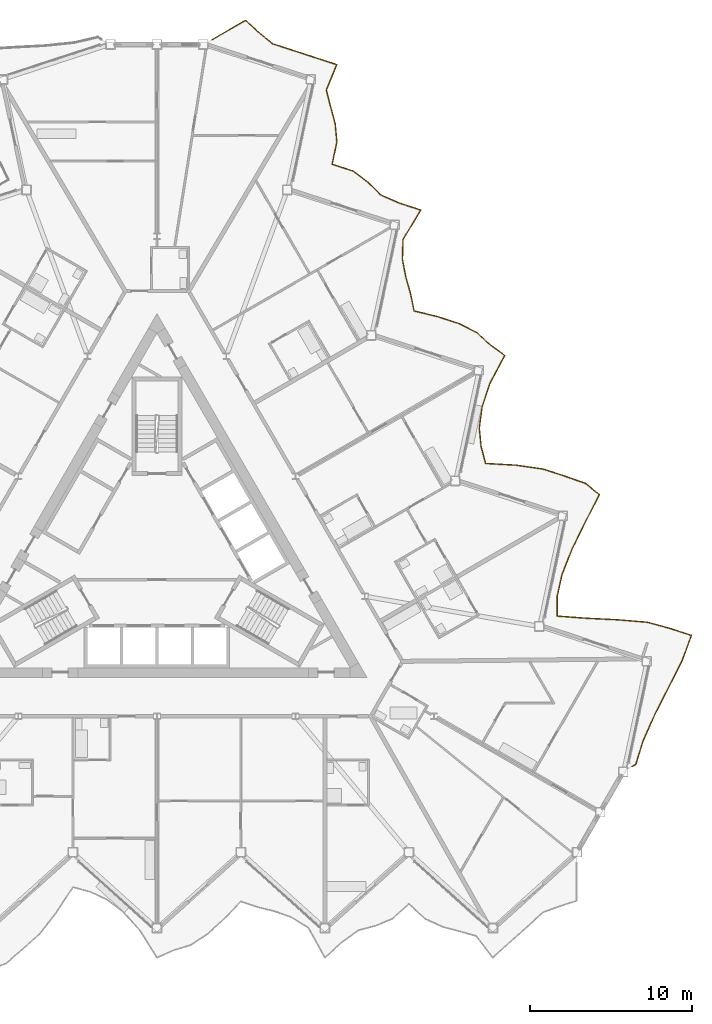
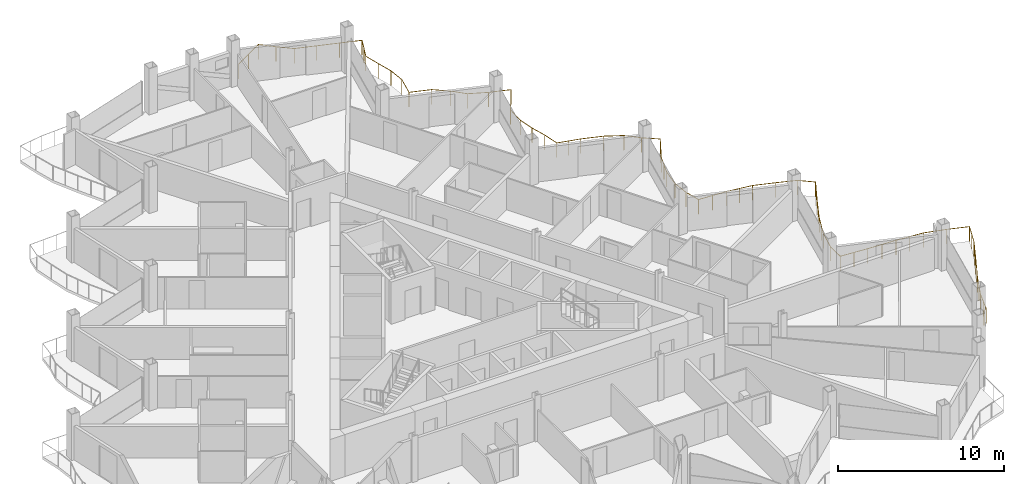
# One storey, part 25 of 27: 1 railing.
"""IFC4 building model written with IfcOpenShell, lengths in metres."""

from ifc_helpers import new_model, si_unit, direction, frame, origin, origin_2d, place, context, subcontext, project, spatial, circle, extrude, material, type_object, element, save


model = new_model("IFC4")

# Units and contexts
model_context = context("Model", 3, precision=1e-05, world=origin(), true_north=direction((0.0, 1.0)))
body_context = subcontext(model_context, "Body", "Model", "MODEL_VIEW")
ifc_project = project(units=[si_unit("LENGTHUNIT", "METRE"), si_unit("AREAUNIT", "SQUARE_METRE"), si_unit("VOLUMEUNIT", "CUBIC_METRE"), si_unit("PLANEANGLEUNIT", "RADIAN"), si_unit("MASSUNIT", "GRAM", prefix="KILO")], contexts=[model_context])

# Site, building, storey
site_placement = place(None, origin())
site = spatial("IfcSite", under=ifc_project, at=site_placement, CompositionType="ELEMENT")
building_placement = place(site_placement, origin())
building = spatial("IfcBuilding", under=site, at=building_placement, Name="Cormorant Prow Tower", CompositionType="ELEMENT")
storey_placement = place(building_placement, frame((0.0, 0.0, 332.39990234375)))
storey = spatial("IfcBuildingStorey", under=building, at=storey_placement, Name="L74", CompositionType="ELEMENT", Elevation=332.39990234375)

# Railing
ifc_material = material(Name="Aluminium 6063-T6", Category="aluminium")
railing_type = type_object("IfcRailingType", Name="Balcony guard 1100", PredefinedType="GUARDRAIL", material=ifc_material)
railing_placement = place(storey_placement, frame((29.40869140625, -13.021484375, 0.0)))
element("IfcRailing", 1, at=railing_placement, inside=storey, type_object=railing_type, Name="Balcony guard ENE", PredefinedType="GUARDRAIL", context=body_context, shape_type="SweptSolid", body=[
    extrude(circle(Radius=0.02392578125, at=origin_2d()), frame((0.0, 0.0, 1.076171875), z_axis=(0.866230789891, 0.499644091975, 0.0), x_axis=(-0.499644091975, 0.866230789891, 0.0)), (0.0, 0.0, 1.0), 0.269775390625),
    extrude(circle(Radius=0.02392578125, at=origin_2d()), frame((0.233642578125, 0.134765625, 1.076171875), z_axis=(0.294523774743, 0.95564415245, 0.0), x_axis=(-0.95564415245, 0.294523774743, 0.0)), (0.0, 0.0, 1.0), 1.52783203125),
    extrude(circle(Radius=0.02392578125, at=origin_2d()), frame((0.68359375, 1.5947265625, 1.076171875), z_axis=(0.407558426025, 0.913179133235, 0.0), x_axis=(-0.913179133235, 0.407558426025, 0.0)), (0.0, 0.0, 1.0), 1.77001953125),
    extrude(circle(Radius=0.02392578125, at=origin_2d()), frame((1.405029296875, 3.211181640625, 1.076171875), z_axis=(0.454058019356, 0.890972118003, 0.0), x_axis=(-0.890972118003, 0.454058019356, 0.0)), (0.0, 0.0, 1.0), 1.908203125),
    extrude(circle(Radius=0.02392578125, at=origin_2d()), frame((2.271484375, 4.911376953125, 1.076171875), z_axis=(0.446747228541, 0.894660222538, 0.0), x_axis=(-0.894660222538, 0.446747228541, 0.0)), (0.0, 0.0, 1.0), 1.884765625),
    extrude(circle(Radius=0.02392578125, at=origin_2d()), frame((3.113525390625, 6.59765625, 1.076171875), z_axis=(0.347587835427, 0.937647426629, 0.0), x_axis=(-0.937647426629, 0.347587835427, 0.0)), (0.0, 0.0, 1.0), 1.628173828125),
    extrude(circle(Radius=0.02392578125, at=origin_2d()), frame((3.679443359375, 8.124267578125, 1.076171875), z_axis=(-0.951064853311, 0.308991334501, 0.0), x_axis=(-0.308991334501, -0.951064853311, 0.0)), (0.0, 0.0, 1.0), 1.3984375),
    extrude(circle(Radius=0.02392578125, at=origin_2d()), frame((2.349365234375, 8.556396484375, 1.076171875), z_axis=(-0.964955928758, 0.26241199583, 0.0), x_axis=(-0.26241199583, -0.964955928758, 0.0)), (0.0, 0.0, 1.0), 1.46435546875),
    extrude(circle(Radius=0.02392578125, at=origin_2d()), frame((0.936279296875, 8.940673828125, 1.076171875), z_axis=(-0.99655775516, 0.082901391002, 0.0), x_axis=(-0.082901391002, -0.99655775516, 0.0)), (0.0, 0.0, 1.0), 1.822998046875),
    extrude(circle(Radius=0.02392578125, at=origin_2d()), frame((-0.88037109375, 9.091796875, 1.076171875), z_axis=(-0.998811898012, 0.048731841648, 0.0), x_axis=(-0.048731841648, -0.998811898012, 0.0)), (0.0, 0.0, 1.0), 1.918701171875),
    extrude(circle(Radius=0.02392578125, at=origin_2d()), frame((-2.796875, 9.185302734375, 1.076171875), z_axis=(-0.997311174394, 0.073283159246, 0.0), x_axis=(-0.073283159246, -0.997311174394, 0.0)), (0.0, 0.0, 1.0), 1.848876953125),
    extrude(circle(Radius=0.02392578125, at=origin_2d()), frame((-4.640869140625, 9.32080078125, 1.076171875), z_axis=(0.000610128013, 0.999999813872, 0.0), x_axis=(-0.999999813872, 0.000610128013, 0.0)), (0.0, 0.0, 1.0), 1.200439453125),
    extrude(circle(Radius=0.02392578125, at=origin_2d()), frame((-4.64013671875, 10.521240234375, 1.076171875), z_axis=(0.219051768034, 0.975713238058, 0.0), x_axis=(-0.975713238058, 0.219051768034, 0.0)), (0.0, 0.0, 1.0), 1.413330078125),
    extrude(circle(Radius=0.02392578125, at=origin_2d()), frame((-4.33056640625, 11.900146484375, 1.076171875), z_axis=(0.36710331461, 0.930180174161, 0.0), x_axis=(-0.930180174161, 0.36710331461, 0.0)), (0.0, 0.0, 1.0), 1.670654296875),
    extrude(circle(Radius=0.02392578125, at=origin_2d()), frame((-3.71728515625, 13.4541015625, 1.076171875), z_axis=(0.440552379562, 0.89772690773, 0.0), x_axis=(-0.89772690773, 0.440552379562, 0.0)), (0.0, 0.0, 1.0), 1.865234375),
    extrude(circle(Radius=0.02392578125, at=origin_2d()), frame((-2.8955078125, 15.128662109375, 1.076171875), z_axis=(0.456414945173, 0.889767046941, 0.0), x_axis=(-0.889767046941, 0.456414945173, 0.0)), (0.0, 0.0, 1.0), 1.916015625),
    extrude(circle(Radius=0.02392578125, at=origin_2d()), frame((-2.02099609375, 16.83349609375, 1.076171875), z_axis=(-0.777520531746, 0.628857553595, 0.0), x_axis=(-0.628857553595, -0.777520531746, 0.0)), (0.0, 0.0, 1.0), 1.113525390625),
    extrude(circle(Radius=0.02392578125, at=origin_2d()), frame((-2.88671875, 17.53369140625, 1.076171875), z_axis=(-0.943062785885, 0.332614764974, 0.0), x_axis=(-0.332614764974, -0.943062785885, 0.0)), (0.0, 0.0, 1.0), 1.3681640625),
    extrude(circle(Radius=0.02392578125, at=origin_2d()), frame((-4.177001953125, 17.98876953125, 1.076171875), z_axis=(-0.951048181845, 0.309042643999, 0.0), x_axis=(-0.309042643999, -0.951048181845, 0.0)), (0.0, 0.0, 1.0), 1.398193359375),
    extrude(circle(Radius=0.02392578125, at=origin_2d()), frame((-5.5068359375, 18.4208984375, 1.076171875), z_axis=(-0.989747991902, 0.142824761603, 0.0), x_axis=(-0.142824761603, -0.989747991902, 0.0)), (0.0, 0.0, 1.0), 1.680419921875),
    extrude(circle(Radius=0.02392578125, at=origin_2d()), frame((-7.169921875, 18.660888671875, 1.076171875), z_axis=(-0.998408418634, 0.056397070849, 0.0), x_axis=(-0.056397070849, -0.998408418634, 0.0)), (0.0, 0.0, 1.0), 1.89599609375),
    extrude(circle(Radius=0.02392578125, at=origin_2d()), frame((-9.06298828125, 18.767822265625, 1.076171875), z_axis=(-0.256702753318, 0.966490401628, 0.0), x_axis=(-0.966490401628, -0.256702753318, 0.0)), (0.0, 0.0, 1.0), 1.07666015625),
    extrude(circle(Radius=0.02392578125, at=origin_2d()), frame((-9.33935546875, 19.808349609375, 1.076171875), z_axis=(-0.099355312489, 0.995052019686, 0.0), x_axis=(-0.995052019686, -0.099355312489, 0.0)), (0.0, 0.0, 1.0), 1.14013671875),
    extrude(circle(Radius=0.02392578125, at=origin_2d()), frame((-9.45263671875, 20.94287109375, 1.076171875), z_axis=(0.128764747138, 0.991675168538, 0.0), x_axis=(-0.991675168538, 0.128764747138, 0.0)), (0.0, 0.0, 1.0), 1.308349609375),
    extrude(circle(Radius=0.02392578125, at=origin_2d()), frame((-9.2841796875, 22.240234375, 1.076171875), z_axis=(0.311900794197, 0.950114674436, 0.0), x_axis=(-0.950114674436, 0.311900794197, 0.0)), (0.0, 0.0, 1.0), 1.558349609375),
    extrude(circle(Radius=0.02392578125, at=origin_2d()), frame((-8.798095703125, 23.720947265625, 1.076171875), z_axis=(0.468105591313, 0.883672538547, 0.0), x_axis=(-0.883672538547, 0.468105591313, 0.0)), (0.0, 0.0, 1.0), 1.956298828125),
    extrude(circle(Radius=0.02392578125, at=origin_2d()), frame((-7.88232421875, 25.44970703125, 1.076171875), z_axis=(-0.807591829708, 0.589741838933, 0.0), x_axis=(-0.589741838933, -0.807591829708, 0.0)), (0.0, 0.0, 1.0), 1.136474609375),
    extrude(circle(Radius=0.02392578125, at=origin_2d()), frame((-8.800048828125, 26.119873046875, 1.076171875), z_axis=(-0.730097750065, 0.683342721736, 0.0), x_axis=(-0.683342721736, -0.730097750065, 0.0)), (0.0, 0.0, 1.0), 1.086181640625),
    extrude(circle(Radius=0.02392578125, at=origin_2d()), frame((-9.593017578125, 26.862060546875, 1.076171875), z_axis=(-0.893127053343, 0.449804475952, 0.0), x_axis=(-0.449804475952, -0.893127053343, 0.0)), (0.0, 0.0, 1.0), 1.242919921875),
    extrude(circle(Radius=0.02392578125, at=origin_2d()), frame((-10.703125, 27.421142578125, 1.076171875), z_axis=(-0.951064853311, 0.308991334501, 0.0), x_axis=(-0.308991334501, -0.951064853311, 0.0)), (0.0, 0.0, 1.0), 1.3984375),
    extrude(circle(Radius=0.02392578125, at=origin_2d()), frame((-12.033203125, 27.853271484375, 1.076171875), z_axis=(-0.971362366104, 0.237602932889, 0.0), x_axis=(-0.237602932889, -0.971362366104, 0.0)), (0.0, 0.0, 1.0), 1.503173828125),
    extrude(circle(Radius=0.02392578125, at=origin_2d()), frame((-13.493408203125, 28.21044921875, 1.076171875), z_axis=(-0.196801089337, 0.98044343602, 0.0), x_axis=(-0.98044343602, -0.196801089337, 0.0)), (0.0, 0.0, 1.0), 1.0966796875),
    extrude(circle(Radius=0.02392578125, at=origin_2d()), frame((-13.709228515625, 29.28564453125, 1.076171875), z_axis=(-0.276557489015, 0.960997375267, 0.0), x_axis=(-0.960997375267, -0.276557489015, 0.0)), (0.0, 0.0, 1.0), 1.07080078125),
    extrude(circle(Radius=0.02392578125, at=origin_2d()), frame((-14.00537109375, 30.314697265625, 1.076171875), z_axis=(-0.185064615716, 0.982726354592, 0.0), x_axis=(-0.982726354592, -0.185064615716, 0.0)), (0.0, 0.0, 1.0), 1.1015625),
    extrude(circle(Radius=0.02392578125, at=origin_2d()), frame((-14.209228515625, 31.397216796875, 1.076171875), z_axis=(0.028011422025, 0.99960760313, 0.0), x_axis=(-0.99960760313, 0.028011422025, 0.0)), (0.0, 0.0, 1.0), 1.22021484375),
    extrude(circle(Radius=0.02392578125, at=origin_2d()), frame((-14.175048828125, 32.616943359375, 1.076171875), z_axis=(0.513335444008, 0.858188045783, 0.0), x_axis=(-0.858188045783, 0.513335444008, 0.0)), (0.0, 0.0, 1.0), 2.135986328125),
    extrude(circle(Radius=0.02392578125, at=origin_2d()), frame((-13.07861328125, 34.449951171875, 1.076171875), z_axis=(-0.951064853311, 0.308991334501, 0.0), x_axis=(-0.308991334501, -0.951064853311, 0.0)), (0.0, 0.0, 1.0), 1.3984375),
    extrude(circle(Radius=0.02392578125, at=origin_2d()), frame((-14.40869140625, 34.882080078125, 1.076171875), z_axis=(-0.915189260357, 0.403024338878, 0.0), x_axis=(-0.403024338878, -0.915189260357, 0.0)), (0.0, 0.0, 1.0), 1.28857421875),
    extrude(circle(Radius=0.02392578125, at=origin_2d()), frame((-15.587890625, 35.4013671875, 1.076171875), z_axis=(-0.700478445752, 0.713673557754, 0.0), x_axis=(-0.713673557754, -0.700478445752, 0.0)), (0.0, 0.0, 1.0), 1.0732421875),
    extrude(circle(Radius=0.02392578125, at=origin_2d()), frame((-16.339599609375, 36.167236328125, 1.076171875), z_axis=(-0.791872304083, 0.610686706935, 0.0), x_axis=(-0.610686706935, -0.791872304083, 0.0)), (0.0, 0.0, 1.0), 1.123779296875),
    extrude(circle(Radius=0.02392578125, at=origin_2d()), frame((-17.2294921875, 36.853515625, 1.076171875), z_axis=(-0.951064853311, 0.308991334501, 0.0), x_axis=(-0.308991334501, -0.951064853311, 0.0)), (0.0, 0.0, 1.0), 1.3984375),
    extrude(circle(Radius=0.02392578125, at=origin_2d()), frame((-18.5595703125, 37.28564453125, 1.076171875), z_axis=(0.207919304822, 0.978145982296, 0.0), x_axis=(-0.978145982296, 0.207919304822, 0.0)), (0.0, 0.0, 1.0), 1.3984375),
    extrude(circle(Radius=0.02392578125, at=origin_2d()), frame((-18.268798828125, 38.653564453125, 1.076171875), z_axis=(-0.089536194141, 0.995983569111, 0.0), x_axis=(-0.995983569111, -0.089536194141, 0.0)), (0.0, 0.0, 1.0), 1.145263671875),
    extrude(circle(Radius=0.02392578125, at=origin_2d()), frame((-18.371337890625, 39.794189453125, 1.076171875), z_axis=(-0.262310205393, 0.964983604082, 0.0), x_axis=(-0.964983604082, -0.262310205393, 0.0)), (0.0, 0.0, 1.0), 1.074951171875),
    extrude(circle(Radius=0.02392578125, at=origin_2d()), frame((-18.6533203125, 40.83154296875, 1.076171875), z_axis=(-0.245459508698, 0.969406844204, 0.0), x_axis=(-0.969406844204, -0.245459508698, 0.0)), (0.0, 0.0, 1.0), 1.080078125),
    extrude(circle(Radius=0.02392578125, at=origin_2d()), frame((-18.91845703125, 41.878662109375, 1.076171875), z_axis=(0.37896309818, 0.925411784136, 0.0), x_axis=(-0.925411784136, 0.37896309818, 0.0)), (0.0, 0.0, 1.0), 1.6982421875),
    extrude(circle(Radius=0.02392578125, at=origin_2d()), frame((-18.27490234375, 43.4501953125, 1.076171875), z_axis=(-0.951064853311, 0.308991334501, 0.0), x_axis=(-0.308991334501, -0.951064853311, 0.0)), (0.0, 0.0, 1.0), 1.3984375),
    extrude(circle(Radius=0.02392578125, at=origin_2d()), frame((-19.60498046875, 43.88232421875, 1.076171875), z_axis=(-0.951048181845, 0.309042643999, 0.0), x_axis=(-0.309042643999, -0.951048181845, 0.0)), (0.0, 0.0, 1.0), 1.398193359375),
    extrude(circle(Radius=0.02392578125, at=origin_2d()), frame((-20.934814453125, 44.314453125, 1.076171875), z_axis=(-0.951064853311, 0.308991334501, 0.0), x_axis=(-0.308991334501, -0.951064853311, 0.0)), (0.0, 0.0, 1.0), 1.3984375),
    extrude(circle(Radius=0.02392578125, at=origin_2d()), frame((-22.264892578125, 44.74658203125, 1.076171875), z_axis=(-0.767080818133, 0.641550480049, 0.0), x_axis=(-0.641550480049, -0.767080818133, 0.0)), (0.0, 0.0, 1.0), 1.106689453125),
    extrude(circle(Radius=0.02392578125, at=origin_2d()), frame((-23.11376953125, 45.45654296875, 1.076171875), z_axis=(-0.74134501935, 0.67112410349, 0.0), x_axis=(-0.67112410349, -0.74134501935, 0.0)), (0.0, 0.0, 1.0), 1.091796875),
    extrude(circle(Radius=0.02392578125, at=origin_2d()), frame((-23.923095703125, 46.189208984375, 1.076171875), z_axis=(-0.866053875007, -0.499950683153, 0.0), x_axis=(0.499950683153, -0.866053875007, 0.0)), (0.0, 0.0, 1.0), 2.376708984375),
    extrude(circle(Radius=0.02099609375, at=origin_2d()), origin(), (0.0, 0.0, 1.0), 1.052001953125),
    extrude(circle(Radius=0.02099609375, at=origin_2d()), frame((0.233642578125, 0.134765625, 0.0)), (0.0, 0.0, 1.0), 1.052001953125),
    extrude(circle(Radius=0.02099609375, at=origin_2d()), frame((0.45849609375, 0.86474609375, 0.0)), (0.0, 0.0, 1.0), 1.052001953125),
    extrude(circle(Radius=0.02099609375, at=origin_2d()), frame((0.68359375, 1.5947265625, 0.0)), (0.0, 0.0, 1.0), 1.052001953125),
    extrude(circle(Radius=0.02099609375, at=origin_2d()), frame((1.04443359375, 2.40283203125, 0.0)), (0.0, 0.0, 1.0), 1.052001953125),
    extrude(circle(Radius=0.02099609375, at=origin_2d()), frame((1.405029296875, 3.211181640625, 0.0)), (0.0, 0.0, 1.0), 1.052001953125),
    extrude(circle(Radius=0.02099609375, at=origin_2d()), frame((1.83837890625, 4.061279296875, 0.0)), (0.0, 0.0, 1.0), 1.052001953125),
    extrude(circle(Radius=0.02099609375, at=origin_2d()), frame((2.271484375, 4.911376953125, 0.0)), (0.0, 0.0, 1.0), 1.052001953125),
    extrude(circle(Radius=0.02099609375, at=origin_2d()), frame((2.6923828125, 5.75439453125, 0.0)), (0.0, 0.0, 1.0), 1.052001953125),
    extrude(circle(Radius=0.02099609375, at=origin_2d()), frame((3.113525390625, 6.59765625, 0.0)), (0.0, 0.0, 1.0), 1.052001953125),
    extrude(circle(Radius=0.02099609375, at=origin_2d()), frame((3.396484375, 7.36083984375, 0.0)), (0.0, 0.0, 1.0), 1.052001953125),
    extrude(circle(Radius=0.02099609375, at=origin_2d()), frame((3.679443359375, 8.124267578125, 0.0)), (0.0, 0.0, 1.0), 1.052001953125),
    extrude(circle(Radius=0.02099609375, at=origin_2d()), frame((2.349365234375, 8.556396484375, 0.0)), (0.0, 0.0, 1.0), 1.052001953125),
    extrude(circle(Radius=0.02099609375, at=origin_2d()), frame((0.936279296875, 8.940673828125, 0.0)), (0.0, 0.0, 1.0), 1.052001953125),
    extrude(circle(Radius=0.02099609375, at=origin_2d()), frame((0.02783203125, 9.01611328125, 0.0)), (0.0, 0.0, 1.0), 1.052001953125),
    extrude(circle(Radius=0.02099609375, at=origin_2d()), frame((-0.88037109375, 9.091796875, 0.0)), (0.0, 0.0, 1.0), 1.052001953125),
    extrude(circle(Radius=0.02099609375, at=origin_2d()), frame((-1.838623046875, 9.138671875, 0.0)), (0.0, 0.0, 1.0), 1.052001953125),
    extrude(circle(Radius=0.02099609375, at=origin_2d()), frame((-2.796875, 9.185302734375, 0.0)), (0.0, 0.0, 1.0), 1.052001953125),
    extrude(circle(Radius=0.02099609375, at=origin_2d()), frame((-3.71875, 9.2529296875, 0.0)), (0.0, 0.0, 1.0), 1.052001953125),
    extrude(circle(Radius=0.02099609375, at=origin_2d()), frame((-4.640869140625, 9.32080078125, 0.0)), (0.0, 0.0, 1.0), 1.052001953125),
    extrude(circle(Radius=0.02099609375, at=origin_2d()), frame((-4.64013671875, 10.521240234375, 0.0)), (0.0, 0.0, 1.0), 1.052001953125),
    extrude(circle(Radius=0.02099609375, at=origin_2d()), frame((-4.33056640625, 11.900146484375, 0.0)), (0.0, 0.0, 1.0), 1.052001953125),
    extrude(circle(Radius=0.02099609375, at=origin_2d()), frame((-4.02392578125, 12.67724609375, 0.0)), (0.0, 0.0, 1.0), 1.052001953125),
    extrude(circle(Radius=0.02099609375, at=origin_2d()), frame((-3.71728515625, 13.4541015625, 0.0)), (0.0, 0.0, 1.0), 1.052001953125),
    extrude(circle(Radius=0.02099609375, at=origin_2d()), frame((-3.306396484375, 14.29150390625, 0.0)), (0.0, 0.0, 1.0), 1.052001953125),
    extrude(circle(Radius=0.02099609375, at=origin_2d()), frame((-2.8955078125, 15.128662109375, 0.0)), (0.0, 0.0, 1.0), 1.052001953125),
    extrude(circle(Radius=0.02099609375, at=origin_2d()), frame((-2.458251953125, 15.98095703125, 0.0)), (0.0, 0.0, 1.0), 1.052001953125),
    extrude(circle(Radius=0.02099609375, at=origin_2d()), frame((-2.02099609375, 16.83349609375, 0.0)), (0.0, 0.0, 1.0), 1.052001953125),
    extrude(circle(Radius=0.02099609375, at=origin_2d()), frame((-2.88671875, 17.53369140625, 0.0)), (0.0, 0.0, 1.0), 1.052001953125),
    extrude(circle(Radius=0.02099609375, at=origin_2d()), frame((-4.177001953125, 17.98876953125, 0.0)), (0.0, 0.0, 1.0), 1.052001953125),
    extrude(circle(Radius=0.02099609375, at=origin_2d()), frame((-5.5068359375, 18.4208984375, 0.0)), (0.0, 0.0, 1.0), 1.052001953125),
    extrude(circle(Radius=0.02099609375, at=origin_2d()), frame((-6.33837890625, 18.541015625, 0.0)), (0.0, 0.0, 1.0), 1.052001953125),
    extrude(circle(Radius=0.02099609375, at=origin_2d()), frame((-7.169921875, 18.660888671875, 0.0)), (0.0, 0.0, 1.0), 1.052001953125),
    extrude(circle(Radius=0.02099609375, at=origin_2d()), frame((-8.116455078125, 18.71435546875, 0.0)), (0.0, 0.0, 1.0), 1.052001953125),
    extrude(circle(Radius=0.02099609375, at=origin_2d()), frame((-9.06298828125, 18.767822265625, 0.0)), (0.0, 0.0, 1.0), 1.052001953125),
    extrude(circle(Radius=0.02099609375, at=origin_2d()), frame((-9.33935546875, 19.808349609375, 0.0)), (0.0, 0.0, 1.0), 1.052001953125),
    extrude(circle(Radius=0.02099609375, at=origin_2d()), frame((-9.45263671875, 20.94287109375, 0.0)), (0.0, 0.0, 1.0), 1.052001953125),
    extrude(circle(Radius=0.02099609375, at=origin_2d()), frame((-9.2841796875, 22.240234375, 0.0)), (0.0, 0.0, 1.0), 1.052001953125),
    extrude(circle(Radius=0.02099609375, at=origin_2d()), frame((-9.041015625, 22.98046875, 0.0)), (0.0, 0.0, 1.0), 1.052001953125),
    extrude(circle(Radius=0.02099609375, at=origin_2d()), frame((-8.798095703125, 23.720947265625, 0.0)), (0.0, 0.0, 1.0), 1.052001953125),
    extrude(circle(Radius=0.02099609375, at=origin_2d()), frame((-8.34033203125, 24.58544921875, 0.0)), (0.0, 0.0, 1.0), 1.052001953125),
    extrude(circle(Radius=0.02099609375, at=origin_2d()), frame((-7.88232421875, 25.44970703125, 0.0)), (0.0, 0.0, 1.0), 1.052001953125),
    extrude(circle(Radius=0.02099609375, at=origin_2d()), frame((-8.800048828125, 26.119873046875, 0.0)), (0.0, 0.0, 1.0), 1.052001953125),
    extrude(circle(Radius=0.02099609375, at=origin_2d()), frame((-9.593017578125, 26.862060546875, 0.0)), (0.0, 0.0, 1.0), 1.052001953125),
    extrude(circle(Radius=0.02099609375, at=origin_2d()), frame((-10.703125, 27.421142578125, 0.0)), (0.0, 0.0, 1.0), 1.052001953125),
    extrude(circle(Radius=0.02099609375, at=origin_2d()), frame((-12.033203125, 27.853271484375, 0.0)), (0.0, 0.0, 1.0), 1.052001953125),
    extrude(circle(Radius=0.02099609375, at=origin_2d()), frame((-12.76318359375, 28.03173828125, 0.0)), (0.0, 0.0, 1.0), 1.052001953125),
    extrude(circle(Radius=0.02099609375, at=origin_2d()), frame((-13.493408203125, 28.21044921875, 0.0)), (0.0, 0.0, 1.0), 1.052001953125),
    extrude(circle(Radius=0.02099609375, at=origin_2d()), frame((-13.709228515625, 29.28564453125, 0.0)), (0.0, 0.0, 1.0), 1.052001953125),
    extrude(circle(Radius=0.02099609375, at=origin_2d()), frame((-14.00537109375, 30.314697265625, 0.0)), (0.0, 0.0, 1.0), 1.052001953125),
    extrude(circle(Radius=0.02099609375, at=origin_2d()), frame((-14.209228515625, 31.397216796875, 0.0)), (0.0, 0.0, 1.0), 1.052001953125),
    extrude(circle(Radius=0.02099609375, at=origin_2d()), frame((-14.175048828125, 32.616943359375, 0.0)), (0.0, 0.0, 1.0), 1.052001953125),
    extrude(circle(Radius=0.02099609375, at=origin_2d()), frame((-13.626953125, 33.533447265625, 0.0)), (0.0, 0.0, 1.0), 1.052001953125),
    extrude(circle(Radius=0.02099609375, at=origin_2d()), frame((-13.07861328125, 34.449951171875, 0.0)), (0.0, 0.0, 1.0), 1.052001953125),
    extrude(circle(Radius=0.02099609375, at=origin_2d()), frame((-14.40869140625, 34.882080078125, 0.0)), (0.0, 0.0, 1.0), 1.052001953125),
    extrude(circle(Radius=0.02099609375, at=origin_2d()), frame((-15.587890625, 35.4013671875, 0.0)), (0.0, 0.0, 1.0), 1.052001953125),
    extrude(circle(Radius=0.02099609375, at=origin_2d()), frame((-16.339599609375, 36.167236328125, 0.0)), (0.0, 0.0, 1.0), 1.052001953125),
    extrude(circle(Radius=0.02099609375, at=origin_2d()), frame((-17.2294921875, 36.853515625, 0.0)), (0.0, 0.0, 1.0), 1.052001953125),
    extrude(circle(Radius=0.02099609375, at=origin_2d()), frame((-18.5595703125, 37.28564453125, 0.0)), (0.0, 0.0, 1.0), 1.052001953125),
    extrude(circle(Radius=0.02099609375, at=origin_2d()), frame((-18.268798828125, 38.653564453125, 0.0)), (0.0, 0.0, 1.0), 1.052001953125),
    extrude(circle(Radius=0.02099609375, at=origin_2d()), frame((-18.371337890625, 39.794189453125, 0.0)), (0.0, 0.0, 1.0), 1.052001953125),
    extrude(circle(Radius=0.02099609375, at=origin_2d()), frame((-18.6533203125, 40.83154296875, 0.0)), (0.0, 0.0, 1.0), 1.052001953125),
    extrude(circle(Radius=0.02099609375, at=origin_2d()), frame((-18.91845703125, 41.878662109375, 0.0)), (0.0, 0.0, 1.0), 1.052001953125),
    extrude(circle(Radius=0.02099609375, at=origin_2d()), frame((-18.5966796875, 42.66455078125, 0.0)), (0.0, 0.0, 1.0), 1.052001953125),
    extrude(circle(Radius=0.02099609375, at=origin_2d()), frame((-18.27490234375, 43.4501953125, 0.0)), (0.0, 0.0, 1.0), 1.052001953125),
    extrude(circle(Radius=0.02099609375, at=origin_2d()), frame((-19.60498046875, 43.88232421875, 0.0)), (0.0, 0.0, 1.0), 1.052001953125),
    extrude(circle(Radius=0.02099609375, at=origin_2d()), frame((-20.934814453125, 44.314453125, 0.0)), (0.0, 0.0, 1.0), 1.052001953125),
    extrude(circle(Radius=0.02099609375, at=origin_2d()), frame((-22.264892578125, 44.74658203125, 0.0)), (0.0, 0.0, 1.0), 1.052001953125),
    extrude(circle(Radius=0.02099609375, at=origin_2d()), frame((-23.11376953125, 45.45654296875, 0.0)), (0.0, 0.0, 1.0), 1.052001953125),
    extrude(circle(Radius=0.02099609375, at=origin_2d()), frame((-23.923095703125, 46.189208984375, 0.0)), (0.0, 0.0, 1.0), 1.052001953125),
    extrude(circle(Radius=0.02099609375, at=origin_2d()), frame((-24.9521484375, 45.59521484375, 0.0)), (0.0, 0.0, 1.0), 1.052001953125),
    extrude(circle(Radius=0.02099609375, at=origin_2d()), frame((-25.9814453125, 45.0009765625, 0.0)), (0.0, 0.0, 1.0), 1.052001953125),
])

save(model, "model.ifc")
